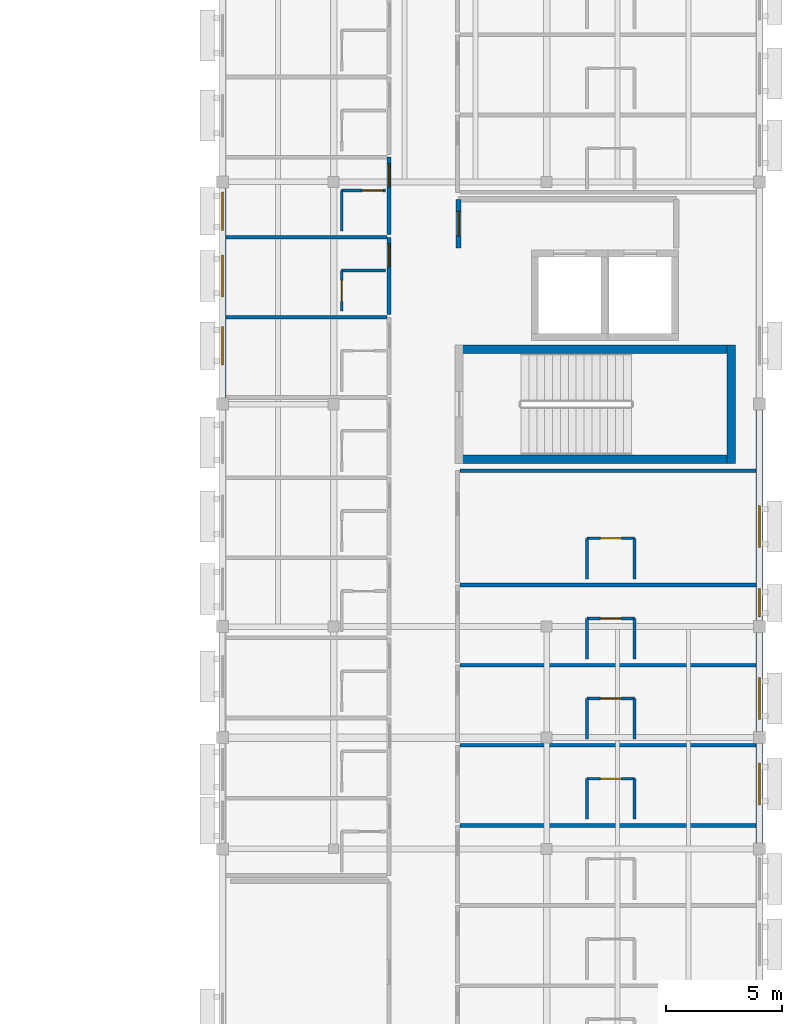
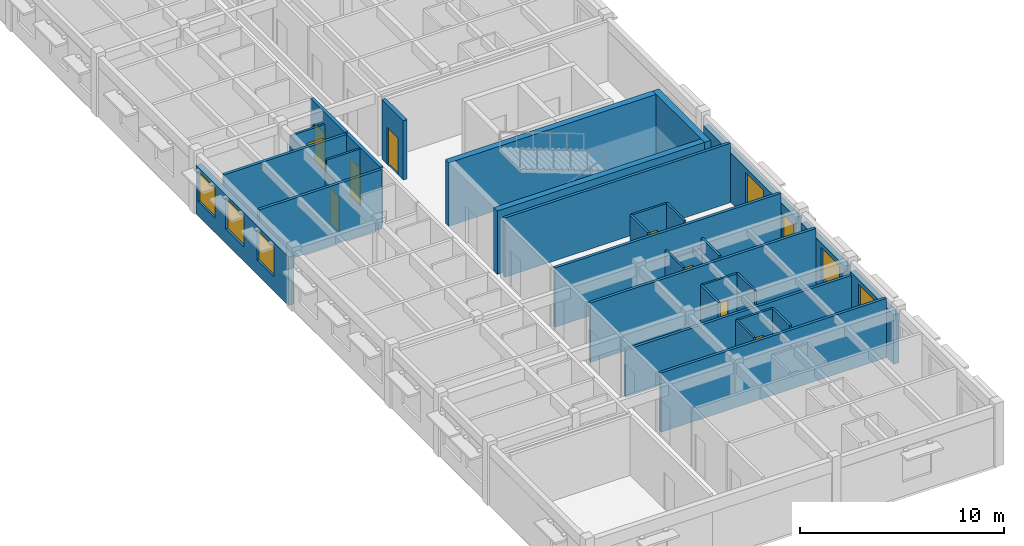
# One storey, part 9 of 20: 33 walls, 9 doors, 7 windows, 16 openings.
"""IFC4 building model written with IfcOpenShell, lengths in metres."""

from ifc_helpers import new_model, si_unit, direction, frame, frame_2d, origin, place, context, subcontext, project, spatial, rectangle, extrude, material, layer, layer_set, type_object, element, fill, save


model = new_model("IFC4")

# Units and contexts
model_context = context("Model", 3, precision=1e-05, world=origin(), true_north=direction((0.0, 1.0)))
body_context = subcontext(model_context, "Body", "Model", "MODEL_VIEW")
ifc_project = project(units=[si_unit("LENGTHUNIT", "METRE"), si_unit("AREAUNIT", "SQUARE_METRE"), si_unit("VOLUMEUNIT", "CUBIC_METRE"), si_unit("PLANEANGLEUNIT", "RADIAN"), si_unit("MASSUNIT", "GRAM", prefix="KILO")], contexts=[model_context])

# Site, building, storey
site_placement = place(None, origin())
site = spatial("IfcSite", under=ifc_project, at=site_placement, CompositionType="ELEMENT")
building_placement = place(site_placement, origin())
building = spatial("IfcBuilding", under=site, at=building_placement, Name="Veldera Park Congress Hotel", CompositionType="ELEMENT")
storey_placement = place(building_placement, frame((0.0, 0.0, 27.60009765625)))
storey = spatial("IfcBuildingStorey", under=building, at=storey_placement, Name="L06", CompositionType="ELEMENT", Elevation=27.60009765625)

# Wall, opening, window
ifc_material_1 = material(Name="Cross-laminated timber CLT V2M1.1", Category="wood")
ifc_layer_1 = layer(ifc_material_1, 0.300048828125)
ifc_layer_set_1 = layer_set([ifc_layer_1], Name="Cross-laminated timber CLT V2M1.1")
wall_type_1 = type_object("IfcWallType", Name="EW-CLT300", PredefinedType="STANDARD", material=ifc_layer_set_1)
wall_1_placement = place(storey_placement, frame((84.0, -27.94189453125, 0.0), z_axis=(0.0, 0.0, 1.0), x_axis=(0.0, 1.0, 0.0)))
wall_1 = element("IfcWall", 1, at=wall_1_placement, inside=storey, type_object=wall_type_1, Name="L06 Exterior Wall EW3-L06-0312", PredefinedType="STANDARD", context=body_context, shape_type="SweptSolid", body=[
    extrude(rectangle(XDim=4.283935546875, YDim=0.300048828125, at=frame_2d((2.14208984375, 0.0))), origin(), (0.0, 0.0, 1.0), 2.969970703125),
])
opening_1_placement = place(wall_1_placement, frame((1.64208984375, 0.0, 0.85009765625)))
opening_1 = element("IfcOpeningElement", 2, at=opening_1_placement, cuts=wall_1, Name="Opening WIN-1800", PredefinedType="OPENING", context=body_context, shape_type="SweptSolid", body=[
    extrude(rectangle(XDim=1.800048828125, YDim=1.85009765625, at=frame_2d((0.89990234375, 0.925048828125))), frame((0.0, 0.162109375, 0.0), z_axis=(0.0, -1.0, 0.0), x_axis=(1.0, 0.0, 0.0)), (0.0, 0.0, 1.0), 0.323974609375),
])
ifc_material_2 = material(Name="Low-E Triple Insulating Glass Unit (SHGC 0.22)", Category="glass")
window_type_1 = type_object("IfcWindowType", Name="WIN-1800", PartitioningType="SINGLE_PANEL", PredefinedType="WINDOW", material=ifc_material_2)
window_1_placement = place(opening_1_placement, origin())
window_1 = element("IfcWindow", 3, at=window_1_placement, inside=storey, type_object=window_type_1, Name="L06 Window WIN-1800 527", OverallHeight=1.85009765625, OverallWidth=1.800048828125, PartitioningType="SINGLE_PANEL", PredefinedType="WINDOW", context=body_context, shape_type="SweptSolid", body=[
    extrude(rectangle(XDim=1.800048828125, YDim=1.85009765625, at=frame_2d((0.89990234375, 0.925048828125))), frame((0.0, 0.030029296875, 0.0), z_axis=(0.0, -1.0, 0.0), x_axis=(1.0, 0.0, 0.0)), (0.0, 0.0, 1.0), 0.06005859375),
])
fill(opening_1, window_1)

wall_2_placement = place(storey_placement, frame((84.0, -23.14208984375, 0.0), z_axis=(0.0, 0.0, 1.0), x_axis=(0.0, 1.0, 0.0)))
wall_2 = element("IfcWall", 4, at=wall_2_placement, inside=storey, type_object=wall_type_1, Name="L06 Exterior Wall EW3-L06-0313", PredefinedType="STANDARD", context=body_context, shape_type="SweptSolid", body=[
    extrude(rectangle(XDim=4.2841796875, YDim=0.300048828125, at=frame_2d((2.14208984375, 0.0))), origin(), (0.0, 0.0, 1.0), 2.969970703125),
])
opening_2_placement = place(wall_2_placement, frame((0.535888671875, 0.0, 0.85009765625)))
opening_2 = element("IfcOpeningElement", 5, at=opening_2_placement, cuts=wall_2, Name="Opening WIN-1800", PredefinedType="OPENING", context=body_context, shape_type="SweptSolid", body=[
    extrude(rectangle(XDim=1.800048828125, YDim=1.85009765625, at=frame_2d((0.89990234375, 0.925048828125))), frame((0.0, 0.162109375, 0.0), z_axis=(0.0, -1.0, 0.0), x_axis=(1.0, 0.0, 0.0)), (0.0, 0.0, 1.0), 0.323974609375),
])
window_2_placement = place(opening_2_placement, origin())
window_2 = element("IfcWindow", 6, at=window_2_placement, inside=storey, type_object=window_type_1, Name="L06 Window WIN-1800 528", OverallHeight=1.85009765625, OverallWidth=1.800048828125, PartitioningType="SINGLE_PANEL", PredefinedType="WINDOW", context=body_context, shape_type="SweptSolid", body=[
    extrude(rectangle(XDim=1.800048828125, YDim=1.85009765625, at=frame_2d((0.89990234375, 0.925048828125))), frame((0.0, 0.030029296875, 0.0), z_axis=(0.0, -1.0, 0.0), x_axis=(1.0, 0.0, 0.0)), (0.0, 0.0, 1.0), 0.06005859375),
])
fill(opening_2, window_2)

# Wall, openings, windows
wall_3_placement = place(storey_placement, frame((84.0, -18.342041015625, 0.0), z_axis=(0.0, 0.0, 1.0), x_axis=(0.0, 1.0, 0.0)))
wall_3 = element("IfcWall", 7, at=wall_3_placement, inside=storey, type_object=wall_type_1, Name="L06 Exterior Wall EW3-L06-0314", PredefinedType="STANDARD", context=body_context, shape_type="SweptSolid", body=[
    extrude(rectangle(XDim=9.083984375, YDim=0.300048828125, at=frame_2d((4.5419921875, 0.0))), origin(), (0.0, 0.0, 1.0), 2.969970703125),
])
opening_3_placement = place(wall_3_placement, frame((0.166015625, 0.0, 0.85009765625)))
opening_3 = element("IfcOpeningElement", 8, at=opening_3_placement, cuts=wall_3, Name="Opening WIN-1200", PredefinedType="OPENING", context=body_context, shape_type="SweptSolid", body=[
    extrude(rectangle(XDim=1.199951171875, YDim=1.550048828125, at=frame_2d((0.60009765625, 0.77490234375))), frame((0.0, 0.162109375, 0.0), z_axis=(0.0, -1.0, 0.0), x_axis=(1.0, 0.0, 0.0)), (0.0, 0.0, 1.0), 0.323974609375),
])
opening_4_placement = place(wall_3_placement, frame((3.162109375, 0.0, 0.85009765625)))
opening_4 = element("IfcOpeningElement", 9, at=opening_4_placement, cuts=wall_3, Name="Opening WIN-1800", PredefinedType="OPENING", context=body_context, shape_type="SweptSolid", body=[
    extrude(rectangle(XDim=1.800048828125, YDim=1.85009765625, at=frame_2d((0.89990234375, 0.925048828125))), frame((0.0, 0.162109375, 0.0), z_axis=(0.0, -1.0, 0.0), x_axis=(1.0, 0.0, 0.0)), (0.0, 0.0, 1.0), 0.323974609375),
])
window_type_2 = type_object("IfcWindowType", Name="WIN-1200", PartitioningType="SINGLE_PANEL", PredefinedType="WINDOW", material=ifc_material_2)
window_3_placement = place(opening_3_placement, origin())
window_3 = element("IfcWindow", 10, at=window_3_placement, inside=storey, type_object=window_type_2, Name="L06 Window WIN-1200 529", OverallHeight=1.550048828125, OverallWidth=1.199951171875, PartitioningType="SINGLE_PANEL", PredefinedType="WINDOW", context=body_context, shape_type="SweptSolid", body=[
    extrude(rectangle(XDim=1.199951171875, YDim=1.550048828125, at=frame_2d((0.60009765625, 0.77490234375))), frame((0.0, 0.030029296875, 0.0), z_axis=(0.0, -1.0, 0.0), x_axis=(1.0, 0.0, 0.0)), (0.0, 0.0, 1.0), 0.06005859375),
])
fill(opening_3, window_3)
window_4_placement = place(opening_4_placement, origin())
window_4 = element("IfcWindow", 11, at=window_4_placement, inside=storey, type_object=window_type_1, Name="L06 Window WIN-1800 530", OverallHeight=1.85009765625, OverallWidth=1.800048828125, PartitioningType="SINGLE_PANEL", PredefinedType="WINDOW", context=body_context, shape_type="SweptSolid", body=[
    extrude(rectangle(XDim=1.800048828125, YDim=1.85009765625, at=frame_2d((0.89990234375, 0.925048828125))), frame((0.0, 0.030029296875, 0.0), z_axis=(0.0, -1.0, 0.0), x_axis=(1.0, 0.0, 0.0)), (0.0, 0.0, 1.0), 0.06005859375),
])
fill(opening_4, window_4)

wall_4_placement = place(storey_placement, frame((60.800048828125, 0.342041015625, 0.0), z_axis=(0.0, 0.0, 1.0), x_axis=(0.0, -1.0, 0.0)))
wall_4 = element("IfcWall", 12, at=wall_4_placement, inside=storey, type_object=wall_type_1, Name="L06 Exterior Wall EW3-L06-0335", PredefinedType="STANDARD", context=body_context, shape_type="SweptSolid", body=[
    extrude(rectangle(XDim=9.083984375, YDim=0.300048828125, at=frame_2d((4.5419921875, 0.0))), origin(), (0.0, 0.0, 1.0), 2.909912109375),
])
opening_5_placement = place(wall_4_placement, frame((5.988037109375, 0.0, 0.85009765625)))
opening_5 = element("IfcOpeningElement", 13, at=opening_5_placement, cuts=wall_4, Name="Opening WIN-1650", PredefinedType="OPENING", context=body_context, shape_type="SweptSolid", body=[
    extrude(rectangle(XDim=1.64990234375, YDim=1.800048828125, at=frame_2d((0.824951171875, 0.89990234375))), frame((0.0, 0.162109375, 0.0), z_axis=(0.0, -1.0, 0.0), x_axis=(1.0, 0.0, 0.0)), (0.0, 0.0, 1.0), 0.323974609375),
])
opening_6_placement = place(wall_4_placement, frame((2.902099609375, 0.0, 0.85009765625)))
opening_6 = element("IfcOpeningElement", 14, at=opening_6_placement, cuts=wall_4, Name="Opening WIN-1800", PredefinedType="OPENING", context=body_context, shape_type="SweptSolid", body=[
    extrude(rectangle(XDim=1.800048828125, YDim=1.85009765625, at=frame_2d((0.89990234375, 0.925048828125))), frame((0.0, 0.162109375, 0.0), z_axis=(0.0, -1.0, 0.0), x_axis=(1.0, 0.0, 0.0)), (0.0, 0.0, 1.0), 0.323974609375),
])
opening_7_placement = place(wall_4_placement, frame((0.180908203125, 0.0, 0.85009765625)))
opening_7 = element("IfcOpeningElement", 15, at=opening_7_placement, cuts=wall_4, Name="Opening WIN-1650", PredefinedType="OPENING", context=body_context, shape_type="SweptSolid", body=[
    extrude(rectangle(XDim=1.64990234375, YDim=1.800048828125, at=frame_2d((0.824951171875, 0.89990234375))), frame((0.0, 0.162109375, 0.0), z_axis=(0.0, -1.0, 0.0), x_axis=(1.0, 0.0, 0.0)), (0.0, 0.0, 1.0), 0.323974609375),
])
window_type_3 = type_object("IfcWindowType", Name="WIN-1650", PartitioningType="SINGLE_PANEL", PredefinedType="WINDOW", material=ifc_material_2)
window_5_placement = place(opening_5_placement, origin())
window_5 = element("IfcWindow", 16, at=window_5_placement, inside=storey, type_object=window_type_3, Name="L06 Window WIN-1650 254", OverallHeight=1.800048828125, OverallWidth=1.64990234375, PartitioningType="SINGLE_PANEL", PredefinedType="WINDOW", context=body_context, shape_type="SweptSolid", body=[
    extrude(rectangle(XDim=1.64990234375, YDim=1.800048828125, at=frame_2d((0.824951171875, 0.89990234375))), frame((0.0, 0.030029296875, 0.0), z_axis=(0.0, -1.0, 0.0), x_axis=(1.0, 0.0, 0.0)), (0.0, 0.0, 1.0), 0.06005859375),
])
fill(opening_5, window_5)
window_6_placement = place(opening_7_placement, origin())
window_6 = element("IfcWindow", 17, at=window_6_placement, inside=storey, type_object=window_type_3, Name="L06 Window WIN-1650 516", OverallHeight=1.800048828125, OverallWidth=1.64990234375, PartitioningType="SINGLE_PANEL", PredefinedType="WINDOW", context=body_context, shape_type="SweptSolid", body=[
    extrude(rectangle(XDim=1.64990234375, YDim=1.800048828125, at=frame_2d((0.824951171875, 0.89990234375))), frame((0.0, 0.030029296875, 0.0), z_axis=(0.0, -1.0, 0.0), x_axis=(1.0, 0.0, 0.0)), (0.0, 0.0, 1.0), 0.06005859375),
])
fill(opening_7, window_6)
window_7_placement = place(opening_6_placement, origin())
window_7 = element("IfcWindow", 18, at=window_7_placement, inside=storey, type_object=window_type_1, Name="L06 Window WIN-1800 515", OverallHeight=1.85009765625, OverallWidth=1.800048828125, PartitioningType="SINGLE_PANEL", PredefinedType="WINDOW", context=body_context, shape_type="SweptSolid", body=[
    extrude(rectangle(XDim=1.800048828125, YDim=1.85009765625, at=frame_2d((0.89990234375, 0.925048828125))), frame((0.0, 0.030029296875, 0.0), z_axis=(0.0, -1.0, 0.0), x_axis=(1.0, 0.0, 0.0)), (0.0, 0.0, 1.0), 0.06005859375),
])
fill(opening_6, window_7)

# Wall, opening, door
ifc_material_3 = material(Name="Fire-Rated Gypsum Board on Cold-Formed Steel Studs", Category="steel")
ifc_layer_2 = layer(ifc_material_3, 0.1201171875)
ifc_layer_set_2 = layer_set([ifc_layer_2], Name="Fire-Rated Gypsum Board on Cold-Formed Steel Studs")
wall_type_2 = type_object("IfcWallType", Name="IW-BATH120", PredefinedType="PARTITIONING", material=ifc_layer_set_2)
wall_5_placement = place(storey_placement, frame((65.949951171875, -4.97998046875, 0.0), z_axis=(0.0, 0.0, 1.0), x_axis=(0.0, 1.0, 0.0)))
wall_5 = element("IfcWall", 19, at=wall_5_placement, inside=storey, type_object=wall_type_2, Name="L06 Partition Wall IW3-L06-01222", PredefinedType="PARTITIONING", context=body_context, shape_type="SweptSolid", body=[
    extrude(rectangle(XDim=1.75, YDim=0.1201171875, at=frame_2d((0.875, 0.0))), origin(), (0.0, 0.0, 1.0), 2.909912109375),
])
opening_8_placement = place(wall_5_placement, frame((0.425048828125, 0.0, 0.0)))
opening_8 = element("IfcOpeningElement", 20, at=opening_8_placement, cuts=wall_5, Name="Opening ID-BATH090", PredefinedType="OPENING", context=body_context, shape_type="SweptSolid", body=[
    extrude(rectangle(XDim=0.89990234375, YDim=2.14990234375, at=frame_2d((0.449951171875, 1.074951171875))), frame((0.0, 0.072021484375, 0.0), z_axis=(0.0, -1.0, 0.0), x_axis=(1.0, 0.0, 0.0)), (0.0, 0.0, 1.0), 0.14404296875),
])
ifc_material_4 = material(Name="Solid Core White Oak Architectural Door", Category="wood")
door_type_1 = type_object("IfcDoorType", Name="ID-BATH090", OperationType="NOTDEFINED", PredefinedType="DOOR", material=ifc_material_4)
door_1_placement = place(opening_8_placement, origin())
door_1 = element("IfcDoor", 21, at=door_1_placement, inside=storey, type_object=door_type_1, Name="L06 En-suite 185 Door ID3-L06-0509 (DR3-ID3-L06-0509)", OperationType="SINGLE_SWING_LEFT", OverallHeight=2.14990234375, OverallWidth=0.89990234375, PredefinedType="DOOR", context=body_context, shape_type="SweptSolid", body=[
    extrude(rectangle(XDim=0.89990234375, YDim=2.14990234375, at=frame_2d((0.449951171875, 1.074951171875))), frame((0.0, 0.02490234375, 0.0), z_axis=(0.0, -1.0, 0.0), x_axis=(1.0, 0.0, 0.0)), (0.0, 0.0, 1.0), 0.050048828125),
])
fill(opening_8, door_1)

# Walls
wall_6_placement = place(storey_placement, frame((65.949951171875, -3.22998046875, 0.0), z_axis=(0.0, 0.0, 1.0), x_axis=(1.0, 0.0, 0.0)))
element("IfcWall", 22, at=wall_6_placement, inside=storey, type_object=wall_type_2, Name="L06 Partition Wall IW3-L06-01223", PredefinedType="PARTITIONING", context=body_context, shape_type="SweptSolid", body=[
    extrude(rectangle(XDim=1.900146484375, YDim=0.1201171875, at=frame_2d((0.9501953125, 0.0))), origin(), (0.0, 0.0, 1.0), 3.554931640625),
])
wall_7_placement = place(storey_placement, frame((65.949951171875, -1.52001953125, 0.0), z_axis=(0.0, 0.0, 1.0), x_axis=(0.0, 1.0, 0.0)))
element("IfcWall", 23, at=wall_7_placement, inside=storey, type_object=wall_type_2, Name="L06 Partition Wall IW3-L06-01226", PredefinedType="PARTITIONING", context=body_context, shape_type="SweptSolid", body=[
    extrude(rectangle(XDim=1.75, YDim=0.1201171875, at=frame_2d((0.875, 0.0))), origin(), (0.0, 0.0, 1.0), 2.909912109375),
])

# Wall, opening, door
wall_8_placement = place(storey_placement, frame((65.949951171875, 0.22998046875, 0.0), z_axis=(0.0, 0.0, 1.0), x_axis=(1.0, 0.0, 0.0)))
wall_8 = element("IfcWall", 24, at=wall_8_placement, inside=storey, type_object=wall_type_2, Name="L06 Partition Wall IW3-L06-01227", PredefinedType="PARTITIONING", context=body_context, shape_type="SweptSolid", body=[
    extrude(rectangle(XDim=1.900146484375, YDim=0.1201171875, at=frame_2d((0.9501953125, 0.0))), origin(), (0.0, 0.0, 1.0), 2.929931640625),
])
opening_9_placement = place(wall_8_placement, frame((0.8798828125, 0.0, 0.0)))
opening_9 = element("IfcOpeningElement", 25, at=opening_9_placement, cuts=wall_8, Name="Opening ID-BATH090", PredefinedType="OPENING", context=body_context, shape_type="SweptSolid", body=[
    extrude(rectangle(XDim=0.89990234375, YDim=2.14990234375, at=frame_2d((0.449951171875, 1.074951171875))), frame((0.0, 0.072021484375, 0.0), z_axis=(0.0, -1.0, 0.0), x_axis=(1.0, 0.0, 0.0)), (0.0, 0.0, 1.0), 0.14404296875),
])
door_2_placement = place(opening_9_placement, origin())
door_2 = element("IfcDoor", 26, at=door_2_placement, inside=storey, type_object=door_type_1, Name="L06 En-suite 186 Door ID3-L06-0511 (DR3-ID3-L06-0511)", OperationType="SINGLE_SWING_LEFT", OverallHeight=2.14990234375, OverallWidth=0.89990234375, PredefinedType="DOOR", context=body_context, shape_type="SweptSolid", body=[
    extrude(rectangle(XDim=0.89990234375, YDim=2.14990234375, at=frame_2d((0.449951171875, 1.074951171875))), frame((0.0, 0.02490234375, 0.0), z_axis=(0.0, -1.0, 0.0), x_axis=(1.0, 0.0, 0.0)), (0.0, 0.0, 1.0), 0.050048828125),
])
fill(opening_9, door_2)

# Walls
for number, where, z_axis, x_axis, name in (
    (27, (76.550048828125, -26.919921875, 0.0), (0.0, 0.0, 1.0), (0.0, 1.0, 0.0), "L06 Partition Wall IW3-L06-01278"),
    (28, (78.60009765625, -26.919921875, 0.0), (0.0, 0.0, 1.0), (0.0, 1.0, 0.0), "L06 Partition Wall IW3-L06-01279"),
):
    element("IfcWall", number, at=place(storey_placement, frame(where, z_axis=z_axis, x_axis=x_axis)), inside=storey, type_object=wall_type_2, Name=name, PredefinedType="PARTITIONING", context=body_context, shape_type="SweptSolid", body=[
        extrude(rectangle(XDim=1.75, YDim=0.1201171875, at=frame_2d((0.875, 0.0))), origin(), (0.0, 0.0, 1.0), 3.554931640625),
    ])

# Wall, opening, door
wall_9_placement = place(storey_placement, frame((76.550048828125, -25.169921875, 0.0), z_axis=(0.0, 0.0, 1.0), x_axis=(1.0, 0.0, 0.0)))
wall_9 = element("IfcWall", 29, at=wall_9_placement, inside=storey, type_object=wall_type_2, Name="L06 Partition Wall IW3-L06-01280", PredefinedType="PARTITIONING", context=body_context, shape_type="SweptSolid", body=[
    extrude(rectangle(XDim=2.050048828125, YDim=0.1201171875, at=frame_2d((1.02490234375, 0.0))), origin(), (0.0, 0.0, 1.0), 3.554931640625),
])
opening_10_placement = place(wall_9_placement, frame((0.574951171875, 0.0, 0.0)))
opening_10 = element("IfcOpeningElement", 30, at=opening_10_placement, cuts=wall_9, Name="Opening ID-BATH090", PredefinedType="OPENING", context=body_context, shape_type="SweptSolid", body=[
    extrude(rectangle(XDim=0.89990234375, YDim=2.14990234375, at=frame_2d((0.449951171875, 1.074951171875))), frame((0.0, 0.072021484375, 0.0), z_axis=(0.0, -1.0, 0.0), x_axis=(1.0, 0.0, 0.0)), (0.0, 0.0, 1.0), 0.14404296875),
])
door_3_placement = place(opening_10_placement, origin())
door_3 = element("IfcDoor", 31, at=door_3_placement, inside=storey, type_object=door_type_1, Name="L06 En-suite 198 Door ID3-L06-0535 (DR3-ID3-L06-0535)", OperationType="SINGLE_SWING_LEFT", OverallHeight=2.14990234375, OverallWidth=0.89990234375, PredefinedType="DOOR", context=body_context, shape_type="SweptSolid", body=[
    extrude(rectangle(XDim=0.89990234375, YDim=2.14990234375, at=frame_2d((0.449951171875, 1.074951171875))), frame((0.0, 0.02490234375, 0.0), z_axis=(0.0, -1.0, 0.0), x_axis=(1.0, 0.0, 0.0)), (0.0, 0.0, 1.0), 0.050048828125),
])
fill(opening_10, door_3)

# Walls
for number, where, z_axis, x_axis, name in (
    (32, (76.550048828125, -23.4599609375, 0.0), (0.0, 0.0, 1.0), (0.0, 1.0, 0.0), "L06 Partition Wall IW3-L06-01283"),
    (33, (78.60009765625, -23.4599609375, 0.0), (0.0, 0.0, 1.0), (0.0, 1.0, 0.0), "L06 Partition Wall IW3-L06-01284"),
):
    element("IfcWall", number, at=place(storey_placement, frame(where, z_axis=z_axis, x_axis=x_axis)), inside=storey, type_object=wall_type_2, Name=name, PredefinedType="PARTITIONING", context=body_context, shape_type="SweptSolid", body=[
        extrude(rectangle(XDim=1.75, YDim=0.1201171875, at=frame_2d((0.875, 0.0))), origin(), (0.0, 0.0, 1.0), 3.554931640625),
    ])

# Wall, opening, door
wall_10_placement = place(storey_placement, frame((76.550048828125, -21.7099609375, 0.0), z_axis=(0.0, 0.0, 1.0), x_axis=(1.0, 0.0, 0.0)))
wall_10 = element("IfcWall", 34, at=wall_10_placement, inside=storey, type_object=wall_type_2, Name="L06 Partition Wall IW3-L06-01285", PredefinedType="PARTITIONING", context=body_context, shape_type="SweptSolid", body=[
    extrude(rectangle(XDim=2.050048828125, YDim=0.1201171875, at=frame_2d((1.02490234375, 0.0))), origin(), (0.0, 0.0, 1.0), 3.554931640625),
])
opening_11_placement = place(wall_10_placement, frame((0.574951171875, 0.0, 0.0)))
opening_11 = element("IfcOpeningElement", 35, at=opening_11_placement, cuts=wall_10, Name="Opening ID-BATH090", PredefinedType="OPENING", context=body_context, shape_type="SweptSolid", body=[
    extrude(rectangle(XDim=0.89990234375, YDim=2.14990234375, at=frame_2d((0.449951171875, 1.074951171875))), frame((0.0, 0.072021484375, 0.0), z_axis=(0.0, -1.0, 0.0), x_axis=(1.0, 0.0, 0.0)), (0.0, 0.0, 1.0), 0.14404296875),
])
door_4_placement = place(opening_11_placement, origin())
door_4 = element("IfcDoor", 36, at=door_4_placement, inside=storey, type_object=door_type_1, Name="L06 En-suite 199 Door ID3-L06-0537 (DR3-ID3-L06-0537)", OperationType="SINGLE_SWING_LEFT", OverallHeight=2.14990234375, OverallWidth=0.89990234375, PredefinedType="DOOR", context=body_context, shape_type="SweptSolid", body=[
    extrude(rectangle(XDim=0.89990234375, YDim=2.14990234375, at=frame_2d((0.449951171875, 1.074951171875))), frame((0.0, 0.02490234375, 0.0), z_axis=(0.0, -1.0, 0.0), x_axis=(1.0, 0.0, 0.0)), (0.0, 0.0, 1.0), 0.050048828125),
])
fill(opening_11, door_4)

# Walls
for number, where, z_axis, x_axis, name in (
    (37, (76.550048828125, -20.0, 0.0), (0.0, 0.0, 1.0), (0.0, 1.0, 0.0), "L06 Partition Wall IW3-L06-01288"),
    (38, (78.60009765625, -20.0, 0.0), (0.0, 0.0, 1.0), (0.0, 1.0, 0.0), "L06 Partition Wall IW3-L06-01289"),
):
    element("IfcWall", number, at=place(storey_placement, frame(where, z_axis=z_axis, x_axis=x_axis)), inside=storey, type_object=wall_type_2, Name=name, PredefinedType="PARTITIONING", context=body_context, shape_type="SweptSolid", body=[
        extrude(rectangle(XDim=1.75, YDim=0.1201171875, at=frame_2d((0.875, 0.0))), origin(), (0.0, 0.0, 1.0), 3.554931640625),
    ])

# Wall, opening, door
wall_11_placement = place(storey_placement, frame((76.550048828125, -18.25, 0.0), z_axis=(0.0, 0.0, 1.0), x_axis=(1.0, 0.0, 0.0)))
wall_11 = element("IfcWall", 39, at=wall_11_placement, inside=storey, type_object=wall_type_2, Name="L06 Partition Wall IW3-L06-01290", PredefinedType="PARTITIONING", context=body_context, shape_type="SweptSolid", body=[
    extrude(rectangle(XDim=2.050048828125, YDim=0.1201171875, at=frame_2d((1.02490234375, 0.0))), origin(), (0.0, 0.0, 1.0), 2.929931640625),
])
opening_12_placement = place(wall_11_placement, frame((0.574951171875, 0.0, 0.0)))
opening_12 = element("IfcOpeningElement", 40, at=opening_12_placement, cuts=wall_11, Name="Opening ID-BATH090", PredefinedType="OPENING", context=body_context, shape_type="SweptSolid", body=[
    extrude(rectangle(XDim=0.89990234375, YDim=2.14990234375, at=frame_2d((0.449951171875, 1.074951171875))), frame((0.0, 0.072021484375, 0.0), z_axis=(0.0, -1.0, 0.0), x_axis=(1.0, 0.0, 0.0)), (0.0, 0.0, 1.0), 0.14404296875),
])
door_5_placement = place(opening_12_placement, origin())
door_5 = element("IfcDoor", 41, at=door_5_placement, inside=storey, type_object=door_type_1, Name="L06 En-suite 200 Door ID3-L06-0539 (DR3-ID3-L06-0539)", OperationType="SINGLE_SWING_LEFT", OverallHeight=2.14990234375, OverallWidth=0.89990234375, PredefinedType="DOOR", context=body_context, shape_type="SweptSolid", body=[
    extrude(rectangle(XDim=0.89990234375, YDim=2.14990234375, at=frame_2d((0.449951171875, 1.074951171875))), frame((0.0, 0.02490234375, 0.0), z_axis=(0.0, -1.0, 0.0), x_axis=(1.0, 0.0, 0.0)), (0.0, 0.0, 1.0), 0.050048828125),
])
fill(opening_12, door_5)

# Walls
for number, where, z_axis, x_axis, name in (
    (42, (76.550048828125, -16.5400390625, 0.0), (0.0, 0.0, 1.0), (0.0, 1.0, 0.0), "L06 Partition Wall IW3-L06-01293"),
    (43, (78.60009765625, -16.5400390625, 0.0), (0.0, 0.0, 1.0), (0.0, 1.0, 0.0), "L06 Partition Wall IW3-L06-01294"),
):
    element("IfcWall", number, at=place(storey_placement, frame(where, z_axis=z_axis, x_axis=x_axis)), inside=storey, type_object=wall_type_2, Name=name, PredefinedType="PARTITIONING", context=body_context, shape_type="SweptSolid", body=[
        extrude(rectangle(XDim=1.75, YDim=0.1201171875, at=frame_2d((0.875, 0.0))), origin(), (0.0, 0.0, 1.0), 3.554931640625),
    ])

# Wall, opening, door
wall_12_placement = place(storey_placement, frame((76.550048828125, -14.7900390625, 0.0), z_axis=(0.0, 0.0, 1.0), x_axis=(1.0, 0.0, 0.0)))
wall_12 = element("IfcWall", 44, at=wall_12_placement, inside=storey, type_object=wall_type_2, Name="L06 Partition Wall IW3-L06-01295", PredefinedType="PARTITIONING", context=body_context, shape_type="SweptSolid", body=[
    extrude(rectangle(XDim=2.050048828125, YDim=0.1201171875, at=frame_2d((1.02490234375, 0.0))), origin(), (0.0, 0.0, 1.0), 3.554931640625),
])
opening_13_placement = place(wall_12_placement, frame((0.574951171875, 0.0, 0.0)))
opening_13 = element("IfcOpeningElement", 45, at=opening_13_placement, cuts=wall_12, Name="Opening ID-BATH090", PredefinedType="OPENING", context=body_context, shape_type="SweptSolid", body=[
    extrude(rectangle(XDim=0.89990234375, YDim=2.14990234375, at=frame_2d((0.449951171875, 1.074951171875))), frame((0.0, 0.072021484375, 0.0), z_axis=(0.0, -1.0, 0.0), x_axis=(1.0, 0.0, 0.0)), (0.0, 0.0, 1.0), 0.14404296875),
])
door_6_placement = place(opening_13_placement, origin())
door_6 = element("IfcDoor", 46, at=door_6_placement, inside=storey, type_object=door_type_1, Name="L06 En-suite 201 Door ID3-L06-0541 (DR3-ID3-L06-0541)", OperationType="SINGLE_SWING_LEFT", OverallHeight=2.14990234375, OverallWidth=0.89990234375, PredefinedType="DOOR", context=body_context, shape_type="SweptSolid", body=[
    extrude(rectangle(XDim=0.89990234375, YDim=2.14990234375, at=frame_2d((0.449951171875, 1.074951171875))), frame((0.0, 0.02490234375, 0.0), z_axis=(0.0, -1.0, 0.0), x_axis=(1.0, 0.0, 0.0)), (0.0, 0.0, 1.0), 0.050048828125),
])
fill(opening_13, door_6)

ifc_layer_3 = layer(ifc_material_3, 0.179931640625)
ifc_layer_set_3 = layer_set([ifc_layer_3], Name="Fire-Rated Gypsum Board on Cold-Formed Steel Studs")
wall_type_3 = type_object("IfcWallType", Name="IW-CORR180", PredefinedType="PARTITIONING", material=ifc_layer_set_3)
wall_13_placement = place(storey_placement, frame((68.0, -5.1298828125, 0.0), z_axis=(0.0, 0.0, 1.0), x_axis=(0.0, 1.0, 0.0)))
wall_13 = element("IfcWall", 47, at=wall_13_placement, inside=storey, type_object=wall_type_3, Name="L06 Corridor Wall IW3-L06-01220", PredefinedType="PARTITIONING", context=body_context, shape_type="SweptSolid", body=[
    extrude(rectangle(XDim=3.33984375, YDim=0.179931640625, at=frame_2d((1.669921875, 0.0))), origin(), (0.0, 0.0, 1.0), 3.554931640625),
])
opening_14_placement = place(wall_13_placement, frame((2.06005859375, 0.0, 0.0)))
opening_14 = element("IfcOpeningElement", 48, at=opening_14_placement, cuts=wall_13, Name="Opening ID-UNIT100", PredefinedType="OPENING", context=body_context, shape_type="SweptSolid", body=[
    extrude(rectangle(XDim=1.0, YDim=2.199951171875, at=frame_2d((0.5, 1.10009765625))), frame((0.0, 0.10205078125, 0.0), z_axis=(0.0, -1.0, 0.0), x_axis=(1.0, 0.0, 0.0)), (0.0, 0.0, 1.0), 0.203857421875),
])
door_type_2 = type_object("IfcDoorType", Name="ID-UNIT100", OperationType="NOTDEFINED", PredefinedType="DOOR", material=ifc_material_4)
door_7_placement = place(opening_14_placement, origin())
door_7 = element("IfcDoor", 49, at=door_7_placement, inside=storey, type_object=door_type_2, Name="L06 Guestroom 185 Entry Door (DR3-UD3-L06-185)", OperationType="SINGLE_SWING_RIGHT", OverallHeight=2.199951171875, OverallWidth=1.0, PredefinedType="DOOR", context=body_context, shape_type="SweptSolid", body=[
    extrude(rectangle(XDim=1.0, YDim=2.199951171875, at=frame_2d((0.5, 1.10009765625))), frame((0.0, 0.02490234375, 0.0), z_axis=(0.0, -1.0, 0.0), x_axis=(1.0, 0.0, 0.0)), (0.0, 0.0, 1.0), 0.050048828125),
])
fill(opening_14, door_7)

wall_14_placement = place(storey_placement, frame((68.0, -1.669921875, 0.0), z_axis=(0.0, 0.0, 1.0), x_axis=(0.0, 1.0, 0.0)))
wall_14 = element("IfcWall", 50, at=wall_14_placement, inside=storey, type_object=wall_type_3, Name="L06 Corridor Wall IW3-L06-01224", PredefinedType="PARTITIONING", context=body_context, shape_type="SweptSolid", body=[
    extrude(rectangle(XDim=3.33984375, YDim=0.179931640625, at=frame_2d((1.669921875, 0.0))), origin(), (0.0, 0.0, 1.0), 3.554931640625),
])
opening_15_placement = place(wall_14_placement, frame((2.06005859375, 0.0, 0.0)))
opening_15 = element("IfcOpeningElement", 51, at=opening_15_placement, cuts=wall_14, Name="Opening ID-UNIT100", PredefinedType="OPENING", context=body_context, shape_type="SweptSolid", body=[
    extrude(rectangle(XDim=1.0, YDim=2.199951171875, at=frame_2d((0.5, 1.10009765625))), frame((0.0, 0.10205078125, 0.0), z_axis=(0.0, -1.0, 0.0), x_axis=(1.0, 0.0, 0.0)), (0.0, 0.0, 1.0), 0.203857421875),
])
door_8_placement = place(opening_15_placement, origin())
door_8 = element("IfcDoor", 52, at=door_8_placement, inside=storey, type_object=door_type_2, Name="L06 Guestroom 186 Entry Door (DR3-UD3-L06-186)", OperationType="SINGLE_SWING_RIGHT", OverallHeight=2.199951171875, OverallWidth=1.0, PredefinedType="DOOR", context=body_context, shape_type="SweptSolid", body=[
    extrude(rectangle(XDim=1.0, YDim=2.199951171875, at=frame_2d((0.5, 1.10009765625))), frame((0.0, 0.02490234375, 0.0), z_axis=(0.0, -1.0, 0.0), x_axis=(1.0, 0.0, 0.0)), (0.0, 0.0, 1.0), 0.050048828125),
])
fill(opening_15, door_8)

ifc_material_5 = material(Name="Concrete f'c 40 MPa (5,800 psi)", Category="concrete")
ifc_layer_4 = layer(ifc_material_5, 0.219970703125)
ifc_layer_set_4 = layer_set([ifc_layer_4], Name="Concrete f'c 40 MPa (5,800 psi)")
wall_type_4 = type_object("IfcWallType", Name="IW-FIRE220", PredefinedType="STANDARD", material=ifc_layer_set_4)
wall_15_placement = place(storey_placement, frame((71.0, -0.14990234375, 0.0), z_axis=(0.0, 0.0, 1.0), x_axis=(0.0, -1.0, 0.0)))
wall_15 = element("IfcWall", 53, at=wall_15_placement, inside=storey, type_object=wall_type_4, Name="L06 Partition Wall IW3-L06-00272", PredefinedType="STANDARD", context=body_context, shape_type="SweptSolid", body=[
    extrude(rectangle(XDim=2.10009765625, YDim=0.219970703125, at=frame_2d((1.050048828125, 0.0))), origin(), (0.0, 0.0, 1.0), 3.554931640625),
])
opening_16_placement = place(wall_15_placement, frame((0.52490234375, 0.0, 0.0)))
opening_16 = element("IfcOpeningElement", 54, at=opening_16_placement, cuts=wall_15, Name="Opening ID-MEET105", PredefinedType="OPENING", context=body_context, shape_type="SweptSolid", body=[
    extrude(rectangle(XDim=1.050048828125, YDim=2.199951171875, at=frame_2d((0.52490234375, 1.10009765625))), frame((0.0, 0.1220703125, 0.0), z_axis=(0.0, -1.0, 0.0), x_axis=(1.0, 0.0, 0.0)), (0.0, 0.0, 1.0), 0.243896484375),
])
door_type_3 = type_object("IfcDoorType", Name="ID-MEET105", OperationType="NOTDEFINED", PredefinedType="DOOR", material=ifc_material_4)
door_9_placement = place(opening_16_placement, origin())
door_9 = element("IfcDoor", 55, at=door_9_placement, inside=storey, type_object=door_type_3, Name="L06 Service Lift Lobby Door ID3-L06-0100 (DR3-ID3-L06-0100)", OperationType="SINGLE_SWING_LEFT", OverallHeight=2.199951171875, OverallWidth=1.050048828125, PredefinedType="DOOR", context=body_context, shape_type="SweptSolid", body=[
    extrude(rectangle(XDim=1.050048828125, YDim=2.199951171875, at=frame_2d((0.52490234375, 1.10009765625))), frame((0.0, 0.02490234375, 0.0), z_axis=(0.0, -1.0, 0.0), x_axis=(1.0, 0.0, 0.0)), (0.0, 0.0, 1.0), 0.050048828125),
])
fill(opening_16, door_9)

# Walls
ifc_layer_5 = layer(ifc_material_1, 0.159912109375)
ifc_layer_set_5 = layer_set([ifc_layer_5], Name="Cross-laminated timber CLT V2M1.1")
wall_type_5 = type_object("IfcWallType", Name="IW-UNIT160", PredefinedType="PARTITIONING", material=ifc_layer_set_5)
for number, where, z_axis, x_axis, name in (
    (56, (60.9599609375, -5.25, 0.0), (0.0, 0.0, 1.0), (1.0, 0.0, 0.0), "L06 Partition Wall IW3-L06-01217"),
    (57, (60.9599609375, -1.7900390625, 0.0), (0.0, 0.0, 1.0), (1.0, 0.0, 0.0), "L06 Partition Wall IW3-L06-01221"),
):
    element("IfcWall", number, at=place(storey_placement, frame(where, z_axis=z_axis, x_axis=x_axis)), inside=storey, type_object=wall_type_5, Name=name, PredefinedType="PARTITIONING", context=body_context, shape_type="SweptSolid", body=[
        extrude(rectangle(XDim=6.93994140625, YDim=0.159912109375, at=frame_2d((3.469970703125, 0.0))), origin(), (0.0, 0.0, 1.0), 3.554931640625),
    ])
wall_16_placement = place(storey_placement, frame((71.050048828125, -27.18994140625, 0.0), z_axis=(0.0, 0.0, 1.0), x_axis=(1.0, 0.0, 0.0)))
element("IfcWall", 58, at=wall_16_placement, inside=storey, type_object=wall_type_5, Name="L06 Partition Wall IW3-L06-01272", PredefinedType="PARTITIONING", context=body_context, shape_type="SweptSolid", body=[
    extrude(rectangle(XDim=12.7900390625, YDim=0.159912109375, at=frame_2d((6.39501953125, 0.0))), origin(), (0.0, 0.0, 1.0), 3.554931640625),
])
wall_17_placement = place(storey_placement, frame((71.050048828125, -23.72998046875, 0.0), z_axis=(0.0, 0.0, 1.0), x_axis=(1.0, 0.0, 0.0)))
element("IfcWall", 59, at=wall_17_placement, inside=storey, type_object=wall_type_5, Name="L06 Partition Wall IW3-L06-01277", PredefinedType="PARTITIONING", context=body_context, shape_type="SweptSolid", body=[
    extrude(rectangle(XDim=12.7900390625, YDim=0.159912109375, at=frame_2d((6.39501953125, 0.0))), origin(), (0.0, 0.0, 1.0), 2.829833984375),
])
for number, where, z_axis, x_axis, name in (
    (60, (71.050048828125, -20.27001953125, 0.0), (0.0, 0.0, 1.0), (1.0, 0.0, 0.0), "L06 Partition Wall IW3-L06-01282"),
    (61, (71.050048828125, -16.81005859375, 0.0), (0.0, 0.0, 1.0), (1.0, 0.0, 0.0), "L06 Partition Wall IW3-L06-01287"),
    (62, (71.050048828125, -11.8701171875, 0.0), (0.0, 0.0, 1.0), (1.0, 0.0, 0.0), "L06 Partition Wall IW3-L06-01292"),
):
    element("IfcWall", number, at=place(storey_placement, frame(where, z_axis=z_axis, x_axis=x_axis)), inside=storey, type_object=wall_type_5, Name=name, PredefinedType="PARTITIONING", context=body_context, shape_type="SweptSolid", body=[
        extrude(rectangle(XDim=12.7900390625, YDim=0.159912109375, at=frame_2d((6.39501953125, 0.0))), origin(), (0.0, 0.0, 1.0), 3.554931640625),
    ])
ifc_layer_6 = layer(ifc_material_5, 0.35009765625)
ifc_layer_set_6 = layer_set([ifc_layer_6], Name="Concrete f'c 40 MPa (5,800 psi)")
wall_type_6 = type_object("IfcWallType", Name="SW-CORE350", PredefinedType="SHEAR", material=ifc_layer_set_6)
wall_18_placement = place(storey_placement, frame((70.85009765625, -11.375, 0.0), z_axis=(0.0, 0.0, 1.0), x_axis=(1.0, 0.0, 0.0)))
element("IfcWall", 63, at=wall_18_placement, inside=storey, type_object=wall_type_6, Name="Stair ST2 Core Wall L06-S", PredefinedType="SHEAR", context=body_context, shape_type="SweptSolid", body=[
    extrude(rectangle(XDim=12.099853515625, YDim=0.35009765625, at=frame_2d((6.0498046875, 0.0))), origin(), (0.0, 0.0, 1.0), 3.7998046875),
])
wall_19_placement = place(storey_placement, frame((82.77490234375, -11.550048828125, 0.0), z_axis=(0.0, 0.0, 1.0), x_axis=(0.0, 1.0, 0.0)))
element("IfcWall", 64, at=wall_19_placement, inside=storey, type_object=wall_type_6, Name="Stair ST2 Core Wall L06-E", PredefinedType="SHEAR", context=body_context, shape_type="SweptSolid", body=[
    extrude(rectangle(XDim=5.10009765625, YDim=0.35009765625, at=frame_2d((2.550048828125, 0.0))), origin(), (0.0, 0.0, 1.0), 3.7998046875),
])
wall_20_placement = place(storey_placement, frame((82.949951171875, -6.625, 0.0), z_axis=(0.0, 0.0, 1.0), x_axis=(-1.0, 0.0, 0.0)))
element("IfcWall", 65, at=wall_20_placement, inside=storey, type_object=wall_type_6, Name="Stair ST2 Core Wall L06-N", PredefinedType="SHEAR", context=body_context, shape_type="SweptSolid", body=[
    extrude(rectangle(XDim=12.099853515625, YDim=0.35009765625, at=frame_2d((6.0498046875, 0.0))), origin(), (0.0, 0.0, 1.0), 3.7998046875),
])

save(model, "model.ifc")
